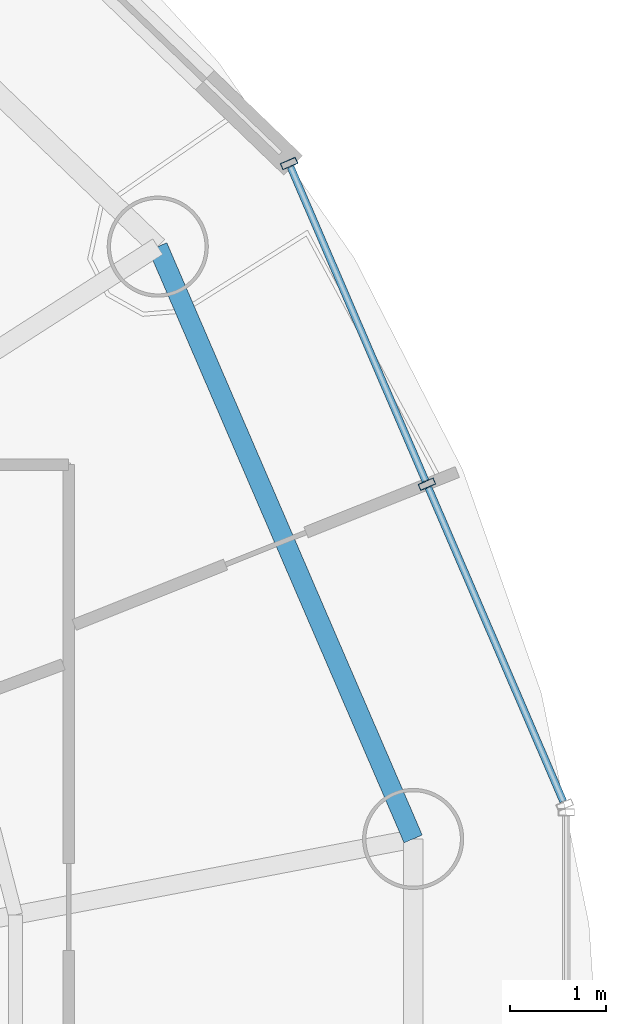
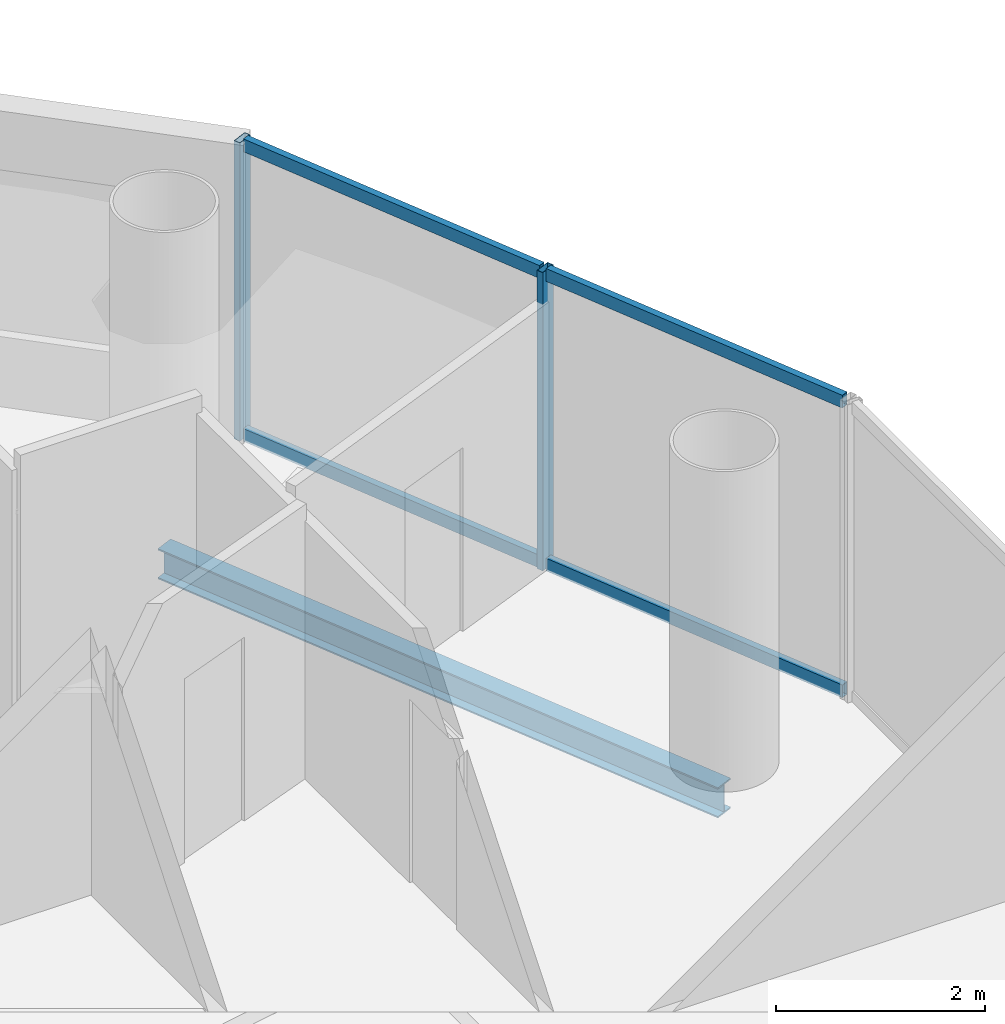
# One storey, part 10 of 21: 6 members, 1 beam, 1 element without a shape of its own.
"""IFC4 building model written with IfcOpenShell, lengths in metres."""

from ifc_helpers import new_model, si_unit, direction, frame, origin, origin_2d, place, context, subcontext, project, spatial, hollow_rectangle, i_section, extrude, source, transform, mapped, material, material_profile, profile_set, type_object, element, aggregate, save


model = new_model("IFC4")

# Units and contexts
model_context = context("Model", 3, precision=1e-05, world=origin(), true_north=direction((-0.2419218956, 0.970295726276)))
body_context = subcontext(model_context, "Body", "Model", "MODEL_VIEW")
ifc_project = project(units=[si_unit("LENGTHUNIT", "METRE"), si_unit("AREAUNIT", "SQUARE_METRE"), si_unit("VOLUMEUNIT", "CUBIC_METRE"), si_unit("PLANEANGLEUNIT", "RADIAN"), si_unit("MASSUNIT", "GRAM", prefix="KILO")], contexts=[model_context])

# Site, building, storey
site_placement = place(None, origin())
site = spatial("IfcSite", under=ifc_project, at=site_placement, CompositionType="ELEMENT")
building_placement = place(site_placement, origin())
building = spatial("IfcBuilding", under=site, at=building_placement, Name="Cobrevalo Terracotta Tower", CompositionType="ELEMENT")
storey_placement = place(building_placement, frame((0.0, 0.0, 281.949951171875)))
storey = spatial("IfcBuildingStorey", under=building, at=storey_placement, Name="L74", CompositionType="ELEMENT", Elevation=281.949951171875)

# Beam
ifc_material_1 = material(Name="Steel S355", Category="steel")
ifc_material_profile_1 = material_profile(ifc_material_1, i_section(OverallWidth=0.205078125, OverallDepth=0.35400390625, WebThickness=0.009521484375, FlangeThickness=0.016845703125, at=origin_2d()), Name="W 360x79")
ifc_profile_set_1 = profile_set([ifc_material_profile_1], Name="Steel S355")
beam_type = type_object("IfcBeamType", Name="Structural Spandrel W 360x79 (Steel S355)", PredefinedType="SPANDREL", material=ifc_profile_set_1)
beam_placement = place(storey_placement, frame((55.408935546875, 30.126220703125, -0.43701171875), z_axis=(-0.395974127655, 0.918261667624, 0.0), x_axis=(-0.918261667624, -0.395974127655, 0.0)))
element("IfcBeam", 1, at=beam_placement, inside=storey, type_object=beam_type, Name="L74 perimeter ring spandrel 01", PredefinedType="SPANDREL", context=body_context, shape_type="SweptSolid", body=[
    extrude(i_section(OverallWidth=0.205078125, OverallDepth=0.35400390625, WebThickness=0.009521484375, FlangeThickness=0.016845703125, at=origin_2d()), origin(), (0.0, 0.0, 1.0), 6.693359375),
])

# Curtain wall, members
ifc_material_2 = material(Name="Anodized aluminium", Category="aluminium")
curtain_wall_type = type_object("IfcCurtainWallType", Name="Upper-tower triple-glazed penthouse curtain wall CW-U3", PredefinedType="NOTDEFINED", material=ifc_material_2)
curtain_wall_placement = place(storey_placement, origin())
curtain_wall = element("IfcCurtainWall", 2, at=curtain_wall_placement, inside=storey, type_object=curtain_wall_type, Name="L74 curtain wall CW-L74-S01", PredefinedType="NOTDEFINED")
ifc_material_profile_2 = material_profile(ifc_material_2, hollow_rectangle(XDim=0.070068359375, YDim=0.169921875, WallThickness=0.00439453125, at=origin_2d()), Name="CWM 70x170")
ifc_profile_set_2 = profile_set([ifc_material_profile_2], Name="Anodized aluminium")
member_type_1 = type_object("IfcMemberType", Name="Upper tower unitised mullion 70x170", PredefinedType="MULLION", material=ifc_profile_set_2)
shared_shape_1 = source(origin(), body_context, "Body", "SweptSolid", [
    extrude(hollow_rectangle(XDim=0.070068359375, YDim=0.169921875, WallThickness=0.00439453125, at=origin_2d()), origin(), (0.0, 0.0, 1.0), 3.489990234375),
])
member_1_placement = place(storey_placement, frame((55.5517578125, 33.807373046875, 0.0), z_axis=(0.0, 0.0, 1.0), x_axis=(-0.39482403454, 0.91875675875, 0.0)))
member_1 = element("IfcMember", 3, at=member_1_placement, type_object=member_type_1, Name="CW-L74-S01 vertical mullion 02", PredefinedType="MULLION", context=body_context, shape_type="MappedRepresentation", body=[
    mapped(shared_shape_1, transform((0.0, 0.0, 0.0), scale=1.0)),
])
member_2_placement = place(storey_placement, frame((54.121337890625, 37.1357421875, 0.0), z_axis=(0.0, 0.0, 1.0), x_axis=(-0.39482403454, 0.91875675875, 0.0)))
member_2 = element("IfcMember", 4, at=member_2_placement, type_object=member_type_1, Name="CW-L74-S01 vertical mullion 03", PredefinedType="MULLION", context=body_context, shape_type="MappedRepresentation", body=[
    mapped(shared_shape_1, transform((0.0, 0.0, 0.0), scale=1.0)),
])
ifc_material_profile_3 = material_profile(ifc_material_2, hollow_rectangle(XDim=0.074951171875, YDim=0.14990234375, WallThickness=0.00439453125, at=origin_2d()), Name="CWT 75x150")
ifc_profile_set_3 = profile_set([ifc_material_profile_3], Name="Anodized aluminium")
member_type_2 = type_object("IfcMemberType", Name="Tower unitised aluminium transom 75x150", PredefinedType="USERDEFINED", material=ifc_profile_set_3)
shared_shape_2 = source(origin(), body_context, "Body", "SweptSolid", [
    extrude(hollow_rectangle(XDim=0.074951171875, YDim=0.14990234375, WallThickness=0.00439453125, at=origin_2d()), origin(), (0.0, 0.0, 1.0), 3.54248046875),
])
member_3_placement = place(storey_placement, frame((55.535888671875, 33.84423828125, 0.050048828125), z_axis=(-0.394834055841, 0.918752452159, 0.0), x_axis=(-0.918752452159, -0.394834055841, 0.0)))
member_3 = element("IfcMember", 5, at=member_3_placement, type_object=member_type_2, Name="CW-L74-S01 transom B02-T1", ObjectType="TRANSOM", PredefinedType="USERDEFINED", context=body_context, shape_type="MappedRepresentation", body=[
    mapped(shared_shape_2, transform((0.0, 0.0, 0.0), scale=1.0)),
])
member_4_placement = place(storey_placement, frame((55.535888671875, 33.84423828125, 3.43994140625), z_axis=(-0.394834055841, 0.918752452159, 0.0), x_axis=(-0.918752452159, -0.394834055841, 0.0)))
member_4 = element("IfcMember", 6, at=member_4_placement, type_object=member_type_2, Name="CW-L74-S01 transom B02-T2", ObjectType="TRANSOM", PredefinedType="USERDEFINED", context=body_context, shape_type="MappedRepresentation", body=[
    mapped(shared_shape_2, transform((0.0, 0.0, 0.0), scale=1.0)),
])
shared_shape_3 = source(origin(), body_context, "Body", "SweptSolid", [
    extrude(hollow_rectangle(XDim=0.074951171875, YDim=0.14990234375, WallThickness=0.00439453125, at=origin_2d()), origin(), (0.0, 0.0, 1.0), 3.542724609375),
])
member_5_placement = place(storey_placement, frame((56.96630859375, 30.515869140625, 0.050048828125), z_axis=(-0.394867226589, 0.918738196314, 0.0), x_axis=(-0.918738196314, -0.394867226589, 0.0)))
member_5 = element("IfcMember", 7, at=member_5_placement, type_object=member_type_2, Name="CW-L74-S01 transom B01-T1", ObjectType="TRANSOM", PredefinedType="USERDEFINED", context=body_context, shape_type="MappedRepresentation", body=[
    mapped(shared_shape_3, transform((0.0, 0.0, 0.0), scale=1.0)),
])
member_6_placement = place(storey_placement, frame((56.96630859375, 30.515869140625, 3.43994140625), z_axis=(-0.394867226589, 0.918738196314, 0.0), x_axis=(-0.918738196314, -0.394867226589, 0.0)))
member_6 = element("IfcMember", 8, at=member_6_placement, type_object=member_type_2, Name="CW-L74-S01 transom B01-T2", ObjectType="TRANSOM", PredefinedType="USERDEFINED", context=body_context, shape_type="MappedRepresentation", body=[
    mapped(shared_shape_3, transform((0.0, 0.0, 0.0), scale=1.0)),
])
aggregate(curtain_wall, [member_1, member_2, member_5, member_6, member_3, member_4])

save(model, "model.ifc")
